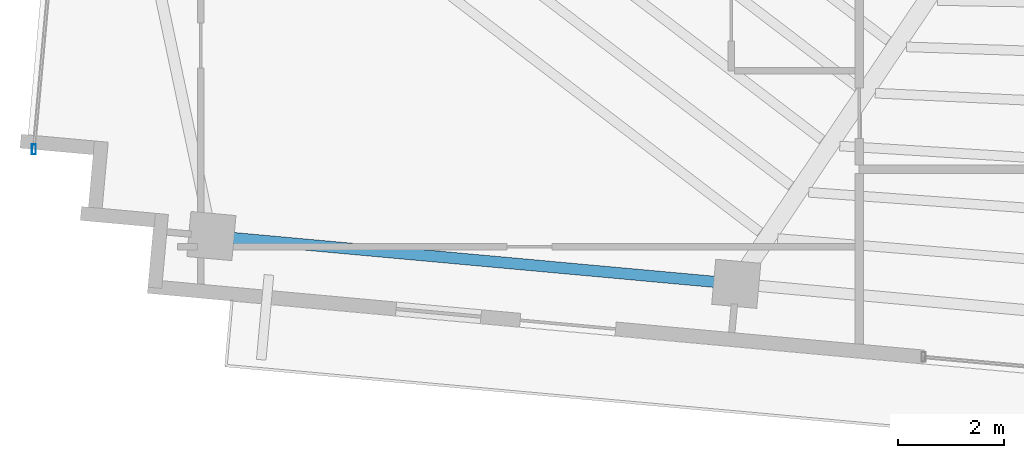
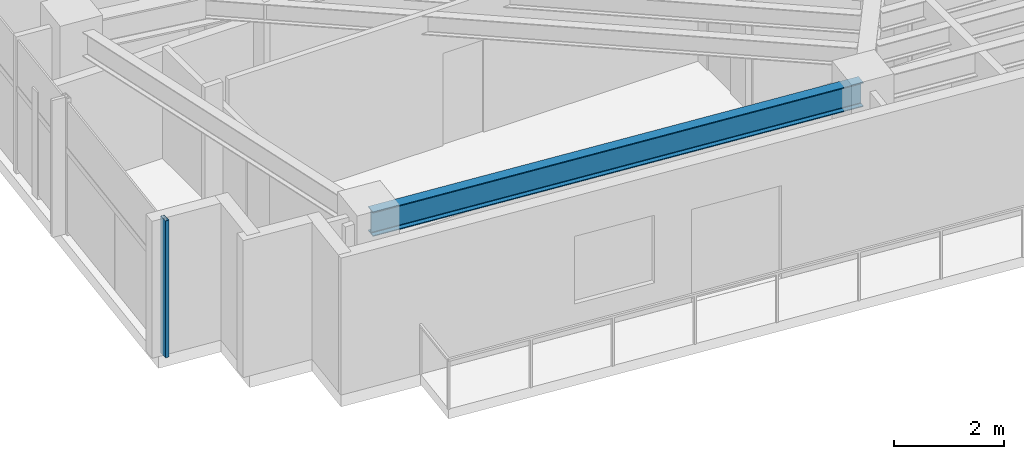
# One storey, part 2 of 22: 1 beam, 1 member, 1 element without a shape of its own.
"""IFC4 building model written with IfcOpenShell, lengths in metres."""

from ifc_helpers import new_model, si_unit, direction, frame, origin, origin_2d, place, context, subcontext, project, spatial, hollow_rectangle, i_section, extrude, source, transform, mapped, material, material_profile, profile_set, type_object, type_shapes, element, aggregate, save


model = new_model("IFC4")

# Units and contexts
model_context = context("Model", 3, precision=1e-05, world=origin(), true_north=direction((0.0, 1.0)))
body_context = subcontext(model_context, "Body", "Model", "MODEL_VIEW")
ifc_project = project(units=[si_unit("LENGTHUNIT", "METRE"), si_unit("AREAUNIT", "SQUARE_METRE"), si_unit("VOLUMEUNIT", "CUBIC_METRE"), si_unit("PLANEANGLEUNIT", "RADIAN"), si_unit("MASSUNIT", "GRAM", prefix="KILO")], contexts=[model_context])

# Site, building, storey
site_placement = place(None, origin())
site = spatial("IfcSite", under=ifc_project, at=site_placement, CompositionType="ELEMENT")
building_placement = place(site_placement, origin())
building = spatial("IfcBuilding", under=site, at=building_placement, Name="Astriad Promenade Condominiums", CompositionType="ELEMENT")
storey_placement = place(building_placement, frame((0.0, 0.0, 252.89990234375)))
storey = spatial("IfcBuildingStorey", under=building, at=storey_placement, Name="L73", CompositionType="ELEMENT", Elevation=252.89990234375)

# Beam
ifc_material_1 = material(Name="Steel ASTM A992 Grade 50", Category="steel")
ifc_material_profile_1 = material_profile(ifc_material_1, i_section(OverallWidth=0.210693359375, OverallDepth=0.53955078125, WebThickness=0.01171875, FlangeThickness=0.018798828125, FilletRadius=0.0166015625, at=origin_2d()), Name="W21X73")
ifc_profile_set_1 = profile_set([ifc_material_profile_1], Name="Steel ASTM A992 Grade 50")
beam_type = type_object("IfcBeamType", Name="STEEL SPANDREL BEAM W21X73", PredefinedType="SPANDREL", material=ifc_profile_set_1)
shared_shape_1 = source(origin(), body_context, "Body", "SweptSolid", [
    extrude(i_section(OverallWidth=0.210693359375, OverallDepth=0.53955078125, WebThickness=0.01171875, FlangeThickness=0.018798828125, FilletRadius=0.0166015625, at=origin_2d()), origin(), (0.0, 0.0, 1.0), 9.8203125),
])
type_shapes(beam_type, [shared_shape_1])
beam_placement = place(storey_placement, frame((12.421630859375, 12.102783203125, 2.7705078125), z_axis=(0.995883419264, -0.090643340822, 0.0), x_axis=(0.090643340822, 0.995883419264, 0.0)))
element("IfcBeam", 1, at=beam_placement, inside=storey, type_object=beam_type, Name="Perimeter Spandrel Beam SP-S1-L73", PredefinedType="SPANDREL", context=body_context, shape_type="MappedRepresentation", body=[
    mapped(shared_shape_1, transform((0.0, 0.0, 0.0), scale=1.0)),
])

# Curtain wall, member
ifc_material_2 = material(Name="Anodised aluminium Black Dark Glass Unitised", Category="aluminium")
curtain_wall_type = type_object("IfcCurtainWallType", Name="CW-B5-DARK", PredefinedType="USERDEFINED", material=ifc_material_2)
curtain_wall_placement = place(storey_placement, origin())
curtain_wall = element("IfcCurtainWall", 2, at=curtain_wall_placement, inside=storey, type_object=curtain_wall_type, Name="CW-L73-W", ObjectType="UNITISED_CURTAIN_WALL", PredefinedType="USERDEFINED")
ifc_material_3 = material(Name="Anodised aluminium 6063-T6 Black", Category="aluminium")
ifc_material_profile_2 = material_profile(ifc_material_3, hollow_rectangle(XDim=0.074951171875, YDim=0.18505859375, WallThickness=0.00439453125, at=origin_2d()), Name="ALU-MUL-75X185")
ifc_profile_set_2 = profile_set([ifc_material_profile_2], Name="Anodised aluminium 6063-T6 Black")
member_type = type_object("IfcMemberType", Name="MUL-ALU-MUL-75X185", PredefinedType="MULLION", material=ifc_profile_set_2)
shared_shape_2 = source(origin(), body_context, "Body", "SweptSolid", [
    extrude(hollow_rectangle(XDim=0.074951171875, YDim=0.18505859375, WallThickness=0.00439453125, at=origin_2d()), origin(), (0.0, 0.0, 1.0), 3.0400390625),
])
type_shapes(member_type, [shared_shape_2])
member_placement = place(storey_placement, frame((9.0458984375, 13.7353515625, 0.0), z_axis=(0.0, 0.0, 1.0), x_axis=(1.0, 0.0, 0.0)))
member = element("IfcMember", 3, at=member_placement, type_object=member_type, Name="CW-L73-W-MUL-00", PredefinedType="MULLION", context=body_context, shape_type="MappedRepresentation", body=[
    mapped(shared_shape_2, transform((0.0, 0.0, 0.0), scale=1.0)),
])
aggregate(curtain_wall, [member])

save(model, "model.ifc")
